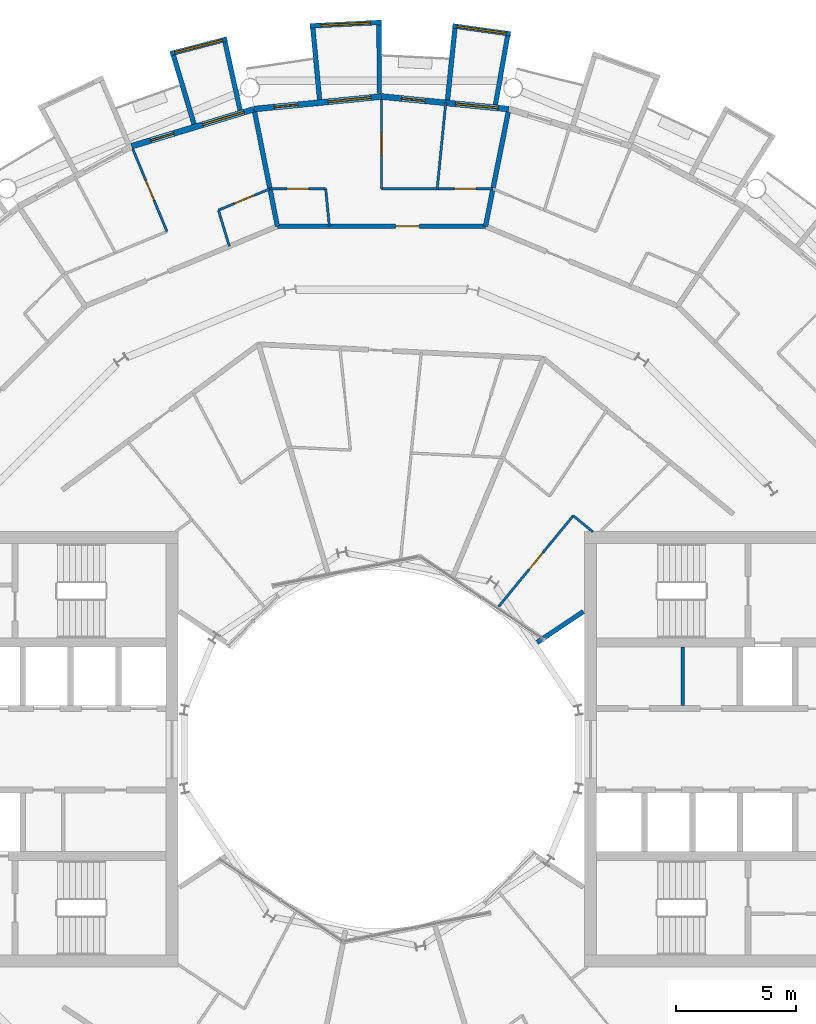
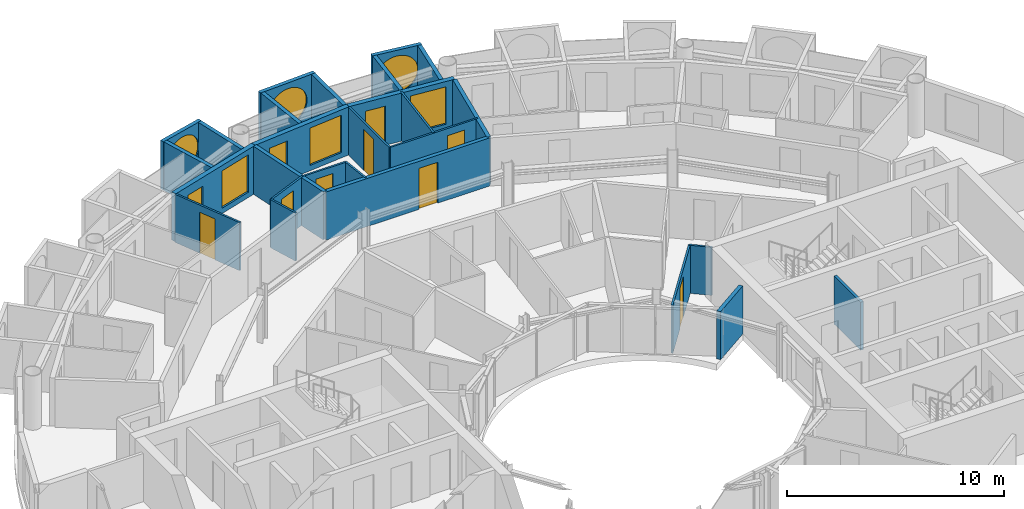
# One storey, part 21 of 27: 27 walls, 10 doors, 6 windows, 16 openings.
"""IFC4 building model written with IfcOpenShell, lengths in metres."""

from ifc_helpers import new_model, si_unit, direction, frame, frame_2d, origin, place, context, subcontext, project, spatial, rectangle, circle, extrude, material, layer, layer_set, type_object, element, fill, save


model = new_model("IFC4")

# Units and contexts
model_context = context("Model", 3, precision=1e-05, world=origin(), true_north=direction((0.0, 1.0)))
body_context = subcontext(model_context, "Body", "Model", "MODEL_VIEW")
ifc_project = project(units=[si_unit("LENGTHUNIT", "METRE"), si_unit("AREAUNIT", "SQUARE_METRE"), si_unit("VOLUMEUNIT", "CUBIC_METRE"), si_unit("PLANEANGLEUNIT", "RADIAN"), si_unit("MASSUNIT", "GRAM", prefix="KILO")], contexts=[model_context])

# Site, building, storey
site_placement = place(None, origin())
site = spatial("IfcSite", under=ifc_project, at=site_placement, CompositionType="ELEMENT")
building_placement = place(site_placement, origin())
building = spatial("IfcBuilding", under=site, at=building_placement, Name="Maasbend Ring Residences", CompositionType="ELEMENT")
storey_placement = place(building_placement, frame((0.0, 0.0, 167.699951171875)))
storey = spatial("IfcBuildingStorey", under=building, at=storey_placement, Name="L48", CompositionType="ELEMENT", Elevation=167.699951171875)

# Wall, opening, door
ifc_material_1 = material(Name="Concrete C30/37", Category="concrete")
ifc_layer_1 = layer(ifc_material_1, 0.199951171875)
ifc_layer_set_1 = layer_set([ifc_layer_1], Name="Concrete C30/37")
wall_type_1 = type_object("IfcWallType", Name="CORRIDOR WALL 200 CONCRETE", PredefinedType="PARTITIONING", material=ifc_layer_set_1)
wall_1_placement = place(storey_placement, frame((-4.35107421875, 21.8720703125, 0.0), z_axis=(0.0, 0.0, 1.0), x_axis=(1.0, 0.0, 0.0)))
wall_1 = element("IfcWall", 1, at=wall_1_placement, inside=storey, type_object=wall_type_1, Name="U-L48-w111", PredefinedType="PARTITIONING", context=body_context, shape_type="SweptSolid", body=[
    extrude(rectangle(XDim=8.7021484375, YDim=0.199951171875, at=frame_2d((4.35107421875, 0.0))), origin(), (0.0, 0.0, 1.0), 2.699951171875),
])
opening_1_placement = place(wall_1_placement, frame((4.93896484375, 0.0, 0.0)))
opening_1 = element("IfcOpeningElement", 2, at=opening_1_placement, cuts=wall_1, Name="Opening D-4809", PredefinedType="OPENING", context=body_context, shape_type="SweptSolid", body=[
    extrude(rectangle(XDim=1.0, YDim=2.300048828125, at=frame_2d((0.5, 1.14990234375))), frame((0.0, 0.10986328125, 0.0), z_axis=(0.0, -1.0, 0.0), x_axis=(1.0, 0.0, 0.0)), (0.0, 0.0, 1.0), 0.219970703125),
])
ifc_material_2 = material(Name="Timber, fire-rated, painted", Category="wood")
door_type_1 = type_object("IfcDoorType", Name="FLAT ENTRANCE DOOR 1000 X 2300 FIRE-RATED", OperationType="NOTDEFINED", PredefinedType="DOOR", material=ifc_material_2)
door_1_placement = place(opening_1_placement, origin())
door_1 = element("IfcDoor", 3, at=door_1_placement, inside=storey, type_object=door_type_1, Name="D-4809", OperationType="SINGLE_SWING_RIGHT", OverallHeight=2.300048828125, OverallWidth=1.0, PredefinedType="DOOR", context=body_context, shape_type="SweptSolid", body=[
    extrude(rectangle(XDim=1.0, YDim=2.300048828125, at=frame_2d((0.5, 1.14990234375))), frame((0.0, 0.02490234375, 0.0), z_axis=(0.0, -1.0, 0.0), x_axis=(1.0, 0.0, 0.0)), (0.0, 0.0, 1.0), 0.050048828125),
])
fill(opening_1, door_1)

# Wall, opening, window
ifc_material_3 = material(Name="Pale anodised aluminium panel", Category="aluminium")
ifc_layer_2 = layer(ifc_material_3, 0.199951171875)
ifc_layer_set_2 = layer_set([ifc_layer_2], Name="EW-BOX")
wall_type_2 = type_object("IfcWallType", Name="EW-BOX", PredefinedType="SOLIDWALL", material=ifc_layer_set_2)
wall_2_placement = place(storey_placement, frame((5.39794921875, 29.9169921875, -0.030029296875), z_axis=(0.0, 0.0, 1.0), x_axis=(-0.990462016113, 0.137786046596, 0.0)))
wall_2 = element("IfcWall", 4, at=wall_2_placement, inside=storey, type_object=wall_type_2, Name="Box front N09", PredefinedType="SOLIDWALL", context=body_context, shape_type="SweptSolid", body=[
    extrude(rectangle(XDim=2.4453125, YDim=0.199951171875, at=frame_2d((1.22265625, 0.0))), origin(), (0.0, 0.0, 1.0), 2.72998046875),
])
opening_2_placement = place(wall_2_placement, frame((0.182861328125, 0.0, 0.330078125)))
opening_2 = element("IfcOpeningElement", 5, at=opening_2_placement, cuts=wall_2, Name="Opening W-RD", PredefinedType="OPENING", context=body_context, shape_type="SweptSolid", body=[
    extrude(circle(Radius=1.0400390625, at=frame_2d((1.0400390625, 1.0400390625))), frame((0.0, 0.10986328125, 0.0), z_axis=(0.0, -1.0, 0.0), x_axis=(1.0, 0.0, 0.0)), (0.0, 0.0, 1.0), 0.219970703125),
])
ifc_material_4 = material(Name="Aluminium and clear glass", Category="aluminium")
window_type_1 = type_object("IfcWindowType", Name="W-RD", PartitioningType="SINGLE_PANEL", PredefinedType="WINDOW", material=ifc_material_4)
window_1_placement = place(opening_2_placement, origin())
window_1 = element("IfcWindow", 6, at=window_1_placement, inside=storey, type_object=window_type_1, Name="Round window N09", OverallHeight=2.080078125, OverallWidth=2.080078125, PartitioningType="SINGLE_PANEL", PredefinedType="WINDOW", context=body_context, shape_type="SweptSolid", body=[
    extrude(circle(Radius=1.0400390625, at=frame_2d((1.0400390625, 1.0400390625))), frame((0.0, 0.030029296875, 0.0), z_axis=(0.0, -1.0, 0.0), x_axis=(1.0, 0.0, 0.0)), (0.0, 0.0, 1.0), 0.06005859375),
])
fill(opening_2, window_1)

# Walls
wall_3_placement = place(storey_placement, frame((4.76904296875, 26.9560546875, -0.030029296875), z_axis=(0.0, 0.0, 1.0), x_axis=(0.174056778901, 0.984735618183, 0.0)))
element("IfcWall", 7, at=wall_3_placement, inside=storey, type_object=wall_type_2, Name="Box side wall N09 left", PredefinedType="SOLIDWALL", context=body_context, shape_type="SweptSolid", body=[
    extrude(rectangle(XDim=2.924560546875, YDim=0.199951171875, at=frame_2d((1.46240234375, 0.0))), origin(), (0.0, 0.0, 1.0), 2.72998046875),
])
wall_4_placement = place(storey_placement, frame((2.763916015625, 27.153076171875, -0.030029296875), z_axis=(0.0, 0.0, 1.0), x_axis=(0.101505487237, 0.994834979311, 0.0)))
element("IfcWall", 8, at=wall_4_placement, inside=storey, type_object=wall_type_2, Name="Box side wall N09 right", PredefinedType="SOLIDWALL", context=body_context, shape_type="SweptSolid", body=[
    extrude(rectangle(XDim=3.006591796875, YDim=0.199951171875, at=frame_2d((1.50341796875, 0.0))), origin(), (0.0, 0.0, 1.0), 2.72998046875),
])

# Wall, opening, window
wall_5_placement = place(storey_placement, frame((0.0048828125, 30.39990234375, -0.030029296875), z_axis=(0.0, 0.0, 1.0), x_axis=(-0.998794083011, -0.049095618353, 0.0)))
wall_5 = element("IfcWall", 9, at=wall_5_placement, inside=storey, type_object=wall_type_2, Name="Box front N11", PredefinedType="SOLIDWALL", context=body_context, shape_type="SweptSolid", body=[
    extrude(rectangle(XDim=2.99365234375, YDim=0.199951171875, at=frame_2d((1.496826171875, 0.0))), origin(), (0.0, 0.0, 1.0), 2.72998046875),
])
opening_3_placement = place(wall_5_placement, frame((0.45654296875, 0.0, 0.330078125)))
opening_3 = element("IfcOpeningElement", 10, at=opening_3_placement, cuts=wall_5, Name="Opening W-RD", PredefinedType="OPENING", context=body_context, shape_type="SweptSolid", body=[
    extrude(circle(Radius=1.0400390625, at=frame_2d((1.0400390625, 1.0400390625))), frame((0.0, 0.10986328125, 0.0), z_axis=(0.0, -1.0, 0.0), x_axis=(1.0, 0.0, 0.0)), (0.0, 0.0, 1.0), 0.219970703125),
])
window_2_placement = place(opening_3_placement, origin())
window_2 = element("IfcWindow", 11, at=window_2_placement, inside=storey, type_object=window_type_1, Name="Round window N11", OverallHeight=2.080078125, OverallWidth=2.080078125, PartitioningType="SINGLE_PANEL", PredefinedType="WINDOW", context=body_context, shape_type="SweptSolid", body=[
    extrude(circle(Radius=1.0400390625, at=frame_2d((1.0400390625, 1.0400390625))), frame((0.0, 0.030029296875, 0.0), z_axis=(0.0, -1.0, 0.0), x_axis=(1.0, 0.0, 0.0)), (0.0, 0.0, 1.0), 0.06005859375),
])
fill(opening_3, window_2)

# Walls
wall_6_placement = place(storey_placement, frame((-0.090087890625, 27.4169921875, -0.030029296875), z_axis=(0.0, 0.0, 1.0), x_axis=(-0.00347308367, 0.999993968827, 0.0)))
element("IfcWall", 12, at=wall_6_placement, inside=storey, type_object=wall_type_2, Name="Box side wall N11 left", PredefinedType="SOLIDWALL", context=body_context, shape_type="SweptSolid", body=[
    extrude(rectangle(XDim=2.882080078125, YDim=0.199951171875, at=frame_2d((1.44091796875, 0.0))), origin(), (0.0, 0.0, 1.0), 2.72998046875),
])
wall_7_placement = place(storey_placement, frame((-2.5859375, 27.1708984375, -0.030029296875), z_axis=(0.0, 0.0, 1.0), x_axis=(-0.094548432284, 0.995520262954, 0.0)))
element("IfcWall", 13, at=wall_7_placement, inside=storey, type_object=wall_type_2, Name="Box side wall N11 right", PredefinedType="SOLIDWALL", context=body_context, shape_type="SweptSolid", body=[
    extrude(rectangle(XDim=3.005615234375, YDim=0.199951171875, at=frame_2d((1.5029296875, 0.0))), origin(), (0.0, 0.0, 1.0), 2.72998046875),
])

# Wall, opening, window
wall_8_placement = place(storey_placement, frame((-6.4609375, 29.705078125, -0.030029296875), z_axis=(0.0, 0.0, 1.0), x_axis=(-0.96789536872, -0.251353446784, 0.0)))
wall_8 = element("IfcWall", 14, at=wall_8_placement, inside=storey, type_object=wall_type_2, Name="Box front N13", PredefinedType="SOLIDWALL", context=body_context, shape_type="SweptSolid", body=[
    extrude(rectangle(XDim=2.44677734375, YDim=0.199951171875, at=frame_2d((1.223388671875, 0.0))), origin(), (0.0, 0.0, 1.0), 2.72998046875),
])
opening_4_placement = place(wall_8_placement, frame((0.182861328125, 0.0, 0.330078125)))
opening_4 = element("IfcOpeningElement", 15, at=opening_4_placement, cuts=wall_8, Name="Opening W-RD", PredefinedType="OPENING", context=body_context, shape_type="SweptSolid", body=[
    extrude(circle(Radius=1.0400390625, at=frame_2d((1.0400390625, 1.0400390625))), frame((0.0, 0.10986328125, 0.0), z_axis=(0.0, -1.0, 0.0), x_axis=(1.0, 0.0, 0.0)), (0.0, 0.0, 1.0), 0.219970703125),
])
window_3_placement = place(opening_4_placement, origin())
window_3 = element("IfcWindow", 16, at=window_3_placement, inside=storey, type_object=window_type_1, Name="Round window N13", OverallHeight=2.080078125, OverallWidth=2.080078125, PartitioningType="SINGLE_PANEL", PredefinedType="WINDOW", context=body_context, shape_type="SweptSolid", body=[
    extrude(circle(Radius=1.0400390625, at=frame_2d((1.0400390625, 1.0400390625))), frame((0.0, 0.030029296875, 0.0), z_axis=(0.0, -1.0, 0.0), x_axis=(1.0, 0.0, 0.0)), (0.0, 0.0, 1.0), 0.06005859375),
])
fill(opening_4, window_3)

# Walls
wall_9_placement = place(storey_placement, frame((-5.908935546875, 26.72900390625, -0.030029296875), z_axis=(0.0, 0.0, 1.0), x_axis=(-0.216409053917, 0.976302781612, 0.0)))
element("IfcWall", 17, at=wall_9_placement, inside=storey, type_object=wall_type_2, Name="Box side wall N13 left", PredefinedType="SOLIDWALL", context=body_context, shape_type="SweptSolid", body=[
    extrude(rectangle(XDim=2.92529296875, YDim=0.199951171875, at=frame_2d((1.462646484375, 0.0))), origin(), (0.0, 0.0, 1.0), 2.72998046875),
])
wall_10_placement = place(storey_placement, frame((-7.8369140625, 26.14404296875, -0.030029296875), z_axis=(0.0, 0.0, 1.0), x_axis=(-0.287064767992, 0.957911174889, 0.0)))
element("IfcWall", 18, at=wall_10_placement, inside=storey, type_object=wall_type_2, Name="Box side wall N13 right", PredefinedType="SOLIDWALL", context=body_context, shape_type="SweptSolid", body=[
    extrude(rectangle(XDim=3.00634765625, YDim=0.199951171875, at=frame_2d((1.503173828125, 0.0))), origin(), (0.0, 0.0, 1.0), 2.72998046875),
])

# Wall, openings, door, window
ifc_material_5 = material(Name="Aluminium clad insulated panel", Category="aluminium")
ifc_layer_3 = layer(ifc_material_5, 0.25)
ifc_layer_set_3 = layer_set([ifc_layer_3], Name="EW-GL")
wall_type_3 = type_object("IfcWallType", Name="EW-GL", PredefinedType="SOLIDWALL", material=ifc_layer_set_3)
wall_11_placement = place(storey_placement, frame((5.325927734375, 26.77490234375, 0.0), z_axis=(0.0, 0.0, 1.0), x_axis=(-0.995173996315, 0.098126026407, 0.0)))
wall_11 = element("IfcWall", 19, at=wall_11_placement, inside=storey, type_object=wall_type_3, Name="External wall N05", PredefinedType="SOLIDWALL", context=body_context, shape_type="SweptSolid", body=[
    extrude(rectangle(XDim=5.351806640625, YDim=0.25, at=frame_2d((2.67578125, 0.0))), origin(), (0.0, 0.0, 1.0), 2.699951171875),
])
opening_5_placement = place(wall_11_placement, frame((0.441162109375, 0.0, 0.300048828125)))
opening_5 = element("IfcOpeningElement", 20, at=opening_5_placement, cuts=wall_11, Name="Opening W-BX", PredefinedType="OPENING", context=body_context, shape_type="SweptSolid", body=[
    extrude(rectangle(XDim=1.800048828125, YDim=2.10009765625, at=frame_2d((0.89990234375, 1.050048828125))), frame((0.0, 0.135009765625, 0.0), z_axis=(0.0, -1.0, 0.0), x_axis=(1.0, 0.0, 0.0)), (0.0, 0.0, 1.0), 0.27001953125),
])
opening_6_placement = place(wall_11_placement, frame((3.510498046875, 0.0, 0.0)))
opening_6 = element("IfcOpeningElement", 21, at=opening_6_placement, cuts=wall_11, Name="Opening D-LG", PredefinedType="OPENING", context=body_context, shape_type="SweptSolid", body=[
    extrude(rectangle(XDim=1.0, YDim=2.199951171875, at=frame_2d((0.5, 1.10009765625))), frame((0.0, 0.135009765625, 0.0), z_axis=(0.0, -1.0, 0.0), x_axis=(1.0, 0.0, 0.0)), (0.0, 0.0, 1.0), 0.27001953125),
])
ifc_material_6 = material(Name="Aluminium and clear glass", Category="aluminium")
door_type_2 = type_object("IfcDoorType", Name="D-LG", OperationType="SINGLE_SWING_LEFT", PredefinedType="DOOR", material=ifc_material_6)
door_2_placement = place(opening_6_placement, origin())
door_2 = element("IfcDoor", 22, at=door_2_placement, inside=storey, type_object=door_type_2, Name="Loggia door N10", OperationType="SINGLE_SWING_LEFT", OverallHeight=2.199951171875, OverallWidth=1.0, PredefinedType="DOOR", context=body_context, shape_type="SweptSolid", body=[
    extrude(rectangle(XDim=1.0, YDim=2.199951171875, at=frame_2d((0.5, 1.10009765625))), frame((0.0, 0.02490234375, 0.0), z_axis=(0.0, -1.0, 0.0), x_axis=(1.0, 0.0, 0.0)), (0.0, 0.0, 1.0), 0.050048828125),
])
fill(opening_6, door_2)
ifc_material_7 = material(Name="Aluminium and clear glass", Category="aluminium")
window_type_2 = type_object("IfcWindowType", Name="W-BX", PartitioningType="DOUBLE_PANEL_VERTICAL", PredefinedType="WINDOW", material=ifc_material_7)
window_4_placement = place(opening_5_placement, origin())
window_4 = element("IfcWindow", 23, at=window_4_placement, inside=storey, type_object=window_type_2, Name="Window N09 room to box", OverallHeight=2.10009765625, OverallWidth=1.800048828125, PartitioningType="SINGLE_PANEL", PredefinedType="WINDOW", context=body_context, shape_type="SweptSolid", body=[
    extrude(rectangle(XDim=1.800048828125, YDim=2.10009765625, at=frame_2d((0.89990234375, 1.050048828125))), frame((0.0, 0.030029296875, 0.0), z_axis=(0.0, -1.0, 0.0), x_axis=(1.0, 0.0, 0.0)), (0.0, 0.0, 1.0), 0.06005859375),
])
fill(opening_5, window_4)

wall_12_placement = place(storey_placement, frame((0.0, 27.300048828125, 0.0), z_axis=(0.0, 0.0, 1.0), x_axis=(-0.995173996315, -0.098126026407, 0.0)))
wall_12 = element("IfcWall", 24, at=wall_12_placement, inside=storey, type_object=wall_type_3, Name="External wall N06", PredefinedType="SOLIDWALL", context=body_context, shape_type="SweptSolid", body=[
    extrude(rectangle(XDim=5.351806640625, YDim=0.25, at=frame_2d((2.67578125, 0.0))), origin(), (0.0, 0.0, 1.0), 2.699951171875),
])
opening_7_placement = place(wall_12_placement, frame((0.441162109375, 0.0, 0.300048828125)))
opening_7 = element("IfcOpeningElement", 25, at=opening_7_placement, cuts=wall_12, Name="Opening W-BX", PredefinedType="OPENING", context=body_context, shape_type="SweptSolid", body=[
    extrude(rectangle(XDim=1.800048828125, YDim=2.10009765625, at=frame_2d((0.89990234375, 1.050048828125))), frame((0.0, 0.135009765625, 0.0), z_axis=(0.0, -1.0, 0.0), x_axis=(1.0, 0.0, 0.0)), (0.0, 0.0, 1.0), 0.27001953125),
])
opening_8_placement = place(wall_12_placement, frame((3.510498046875, 0.0, 0.0)))
opening_8 = element("IfcOpeningElement", 26, at=opening_8_placement, cuts=wall_12, Name="Opening D-LG", PredefinedType="OPENING", context=body_context, shape_type="SweptSolid", body=[
    extrude(rectangle(XDim=1.0, YDim=2.199951171875, at=frame_2d((0.5, 1.10009765625))), frame((0.0, 0.135009765625, 0.0), z_axis=(0.0, -1.0, 0.0), x_axis=(1.0, 0.0, 0.0)), (0.0, 0.0, 1.0), 0.27001953125),
])
door_3_placement = place(opening_8_placement, origin())
door_3 = element("IfcDoor", 27, at=door_3_placement, inside=storey, type_object=door_type_2, Name="Loggia door N12", OperationType="SINGLE_SWING_LEFT", OverallHeight=2.199951171875, OverallWidth=1.0, PredefinedType="DOOR", context=body_context, shape_type="SweptSolid", body=[
    extrude(rectangle(XDim=1.0, YDim=2.199951171875, at=frame_2d((0.5, 1.10009765625))), frame((0.0, 0.02490234375, 0.0), z_axis=(0.0, -1.0, 0.0), x_axis=(1.0, 0.0, 0.0)), (0.0, 0.0, 1.0), 0.050048828125),
])
fill(opening_8, door_3)
window_5_placement = place(opening_7_placement, origin())
window_5 = element("IfcWindow", 28, at=window_5_placement, inside=storey, type_object=window_type_2, Name="Window N11 room to box", OverallHeight=2.10009765625, OverallWidth=1.800048828125, PartitioningType="SINGLE_PANEL", PredefinedType="WINDOW", context=body_context, shape_type="SweptSolid", body=[
    extrude(rectangle(XDim=1.800048828125, YDim=2.10009765625, at=frame_2d((0.89990234375, 1.050048828125))), frame((0.0, 0.030029296875, 0.0), z_axis=(0.0, -1.0, 0.0), x_axis=(1.0, 0.0, 0.0)), (0.0, 0.0, 1.0), 0.06005859375),
])
fill(opening_7, window_5)

wall_13_placement = place(storey_placement, frame((-5.325927734375, 26.77490234375, 0.0), z_axis=(0.0, 0.0, 1.0), x_axis=(-0.956965678721, -0.290201119486, 0.0)))
wall_13 = element("IfcWall", 29, at=wall_13_placement, inside=storey, type_object=wall_type_3, Name="External wall N07", PredefinedType="SOLIDWALL", context=body_context, shape_type="SweptSolid", body=[
    extrude(rectangle(XDim=5.351318359375, YDim=0.25, at=frame_2d((2.67578125, 0.0))), origin(), (0.0, 0.0, 1.0), 2.699951171875),
])
opening_9_placement = place(wall_13_placement, frame((0.441162109375, 0.0, 0.300048828125)))
opening_9 = element("IfcOpeningElement", 30, at=opening_9_placement, cuts=wall_13, Name="Opening W-BX", PredefinedType="OPENING", context=body_context, shape_type="SweptSolid", body=[
    extrude(rectangle(XDim=1.800048828125, YDim=2.10009765625, at=frame_2d((0.89990234375, 1.050048828125))), frame((0.0, 0.135009765625, 0.0), z_axis=(0.0, -1.0, 0.0), x_axis=(1.0, 0.0, 0.0)), (0.0, 0.0, 1.0), 0.27001953125),
])
opening_10_placement = place(wall_13_placement, frame((3.510498046875, 0.0, 0.0)))
opening_10 = element("IfcOpeningElement", 31, at=opening_10_placement, cuts=wall_13, Name="Opening D-LG", PredefinedType="OPENING", context=body_context, shape_type="SweptSolid", body=[
    extrude(rectangle(XDim=1.0, YDim=2.199951171875, at=frame_2d((0.5, 1.10009765625))), frame((0.0, 0.135009765625, 0.0), z_axis=(0.0, -1.0, 0.0), x_axis=(1.0, 0.0, 0.0)), (0.0, 0.0, 1.0), 0.27001953125),
])
door_4_placement = place(opening_10_placement, origin())
door_4 = element("IfcDoor", 32, at=door_4_placement, inside=storey, type_object=door_type_2, Name="Loggia door N14", OperationType="SINGLE_SWING_LEFT", OverallHeight=2.199951171875, OverallWidth=1.0, PredefinedType="DOOR", context=body_context, shape_type="SweptSolid", body=[
    extrude(rectangle(XDim=1.0, YDim=2.199951171875, at=frame_2d((0.5, 1.10009765625))), frame((0.0, 0.02490234375, 0.0), z_axis=(0.0, -1.0, 0.0), x_axis=(1.0, 0.0, 0.0)), (0.0, 0.0, 1.0), 0.050048828125),
])
fill(opening_10, door_4)
window_6_placement = place(opening_9_placement, origin())
window_6 = element("IfcWindow", 33, at=window_6_placement, inside=storey, type_object=window_type_2, Name="Window N13 room to box", OverallHeight=2.10009765625, OverallWidth=1.800048828125, PartitioningType="SINGLE_PANEL", PredefinedType="WINDOW", context=body_context, shape_type="SweptSolid", body=[
    extrude(rectangle(XDim=1.800048828125, YDim=2.10009765625, at=frame_2d((0.89990234375, 1.050048828125))), frame((0.0, 0.030029296875, 0.0), z_axis=(0.0, -1.0, 0.0), x_axis=(1.0, 0.0, 0.0)), (0.0, 0.0, 1.0), 0.06005859375),
])
fill(opening_9, window_6)

# Wall, opening, door
ifc_material_8 = material(Name="Gypsum board on steel studs", Category="steel")
ifc_layer_4 = layer(ifc_material_8, 0.10009765625)
ifc_layer_set_4 = layer_set([ifc_layer_4], Name="PARTITION 100 GYPSUM")
wall_type_4 = type_object("IfcWallType", Name="PARTITION 100 GYPSUM", PredefinedType="PARTITIONING", material=ifc_layer_set_4)
wall_14_placement = place(storey_placement, frame((-10.39892578125, 25.10595703125, 0.0), z_axis=(0.0, 0.0, 1.0), x_axis=(0.382669377748, -0.923885353999, 0.0)))
wall_14 = element("IfcWall", 34, at=wall_14_placement, inside=storey, type_object=wall_type_4, Name="U-L48-w049", PredefinedType="PARTITIONING", context=body_context, shape_type="SweptSolid", body=[
    extrude(rectangle(XDim=3.734130859375, YDim=0.10009765625, at=frame_2d((1.8671875, 0.0))), origin(), (0.0, 0.0, 1.0), 2.699951171875),
])
opening_11_placement = place(wall_14_placement, frame((1.4169921875, 0.0, 0.0)))
opening_11 = element("IfcOpeningElement", 35, at=opening_11_placement, cuts=wall_14, Name="Opening D-4815", PredefinedType="OPENING", context=body_context, shape_type="SweptSolid", body=[
    extrude(rectangle(XDim=0.89990234375, YDim=2.300048828125, at=frame_2d((0.449951171875, 1.14990234375))), frame((0.0, 0.06005859375, 0.0), z_axis=(0.0, -1.0, 0.0), x_axis=(1.0, 0.0, 0.0)), (0.0, 0.0, 1.0), 0.1201171875),
])
ifc_material_9 = material(Name="Timber, painted", Category="wood")
door_type_3 = type_object("IfcDoorType", Name="INTERNAL DOOR 900 X 2300", OperationType="NOTDEFINED", PredefinedType="DOOR", material=ifc_material_9)
door_5_placement = place(opening_11_placement, origin())
door_5 = element("IfcDoor", 36, at=door_5_placement, inside=storey, type_object=door_type_3, Name="D-4815", OperationType="SINGLE_SWING_RIGHT", OverallHeight=2.300048828125, OverallWidth=0.89990234375, PredefinedType="DOOR", context=body_context, shape_type="SweptSolid", body=[
    extrude(rectangle(XDim=0.89990234375, YDim=2.300048828125, at=frame_2d((0.449951171875, 1.14990234375))), frame((0.0, 0.02490234375, 0.0), z_axis=(0.0, -1.0, 0.0), x_axis=(1.0, 0.0, 0.0)), (0.0, 0.0, 1.0), 0.050048828125),
])
fill(opening_11, door_5)

# Walls
wall_15_placement = place(storey_placement, frame((-6.818115234375, 22.549072265625, 0.0), z_axis=(0.0, 0.0, 1.0), x_axis=(0.289689552287, -0.957120662872, 0.0)))
element("IfcWall", 37, at=wall_15_placement, inside=storey, type_object=wall_type_4, Name="U-L48-w052", PredefinedType="PARTITIONING", context=body_context, shape_type="SweptSolid", body=[
    extrude(rectangle(XDim=1.57763671875, YDim=0.10009765625, at=frame_2d((0.788818359375, 0.0))), origin(), (0.0, 0.0, 1.0), 2.699951171875),
])
wall_16_placement = place(storey_placement, frame((-2.3330078125, 23.44091796875, 0.0), z_axis=(0.0, 0.0, 1.0), x_axis=(0.098951748623, -0.995092232632, 0.0)))
element("IfcWall", 38, at=wall_16_placement, inside=storey, type_object=wall_type_4, Name="U-L48-w059", PredefinedType="PARTITIONING", context=body_context, shape_type="SweptSolid", body=[
    extrude(rectangle(XDim=1.57666015625, YDim=0.10009765625, at=frame_2d((0.788330078125, 0.0))), origin(), (0.0, 0.0, 1.0), 2.699951171875),
])

# Wall, opening, door
wall_17_placement = place(storey_placement, frame((0.0, 23.44091796875, 0.0), z_axis=(0.0, 0.0, 1.0), x_axis=(0.0, 1.0, 0.0)))
wall_17 = element("IfcWall", 39, at=wall_17_placement, inside=storey, type_object=wall_type_4, Name="U-L48-w064", PredefinedType="PARTITIONING", context=body_context, shape_type="SweptSolid", body=[
    extrude(rectangle(XDim=3.734130859375, YDim=0.10009765625, at=frame_2d((1.8671875, 0.0))), origin(), (0.0, 0.0, 1.0), 2.699951171875),
])
opening_12_placement = place(wall_17_placement, frame((1.4169921875, 0.0, 0.0)))
opening_12 = element("IfcOpeningElement", 40, at=opening_12_placement, cuts=wall_17, Name="Opening D-4811", PredefinedType="OPENING", context=body_context, shape_type="SweptSolid", body=[
    extrude(rectangle(XDim=0.89990234375, YDim=2.300048828125, at=frame_2d((0.449951171875, 1.14990234375))), frame((0.0, 0.06005859375, 0.0), z_axis=(0.0, -1.0, 0.0), x_axis=(1.0, 0.0, 0.0)), (0.0, 0.0, 1.0), 0.1201171875),
])
door_6_placement = place(opening_12_placement, origin())
door_6 = element("IfcDoor", 41, at=door_6_placement, inside=storey, type_object=door_type_3, Name="D-4811", OperationType="SINGLE_SWING_RIGHT", OverallHeight=2.300048828125, OverallWidth=0.89990234375, PredefinedType="DOOR", context=body_context, shape_type="SweptSolid", body=[
    extrude(rectangle(XDim=0.89990234375, YDim=2.300048828125, at=frame_2d((0.449951171875, 1.14990234375))), frame((0.0, 0.02490234375, 0.0), z_axis=(0.0, -1.0, 0.0), x_axis=(1.0, 0.0, 0.0)), (0.0, 0.0, 1.0), 0.050048828125),
])
fill(opening_12, door_6)

# Wall
wall_18_placement = place(storey_placement, frame((2.3310546875, 23.44091796875, 0.0), z_axis=(0.0, 0.0, 1.0), x_axis=(0.098902534616, 0.995097125233, 0.0)))
element("IfcWall", 42, at=wall_18_placement, inside=storey, type_object=wall_type_4, Name="U-L48-w068", PredefinedType="PARTITIONING", context=body_context, shape_type="SweptSolid", body=[
    extrude(rectangle(XDim=3.618896484375, YDim=0.10009765625, at=frame_2d((1.8095703125, 0.0))), origin(), (0.0, 0.0, 1.0), 2.699951171875),
])

# Wall, opening, door
wall_19_placement = place(storey_placement, frame((4.89794921875, 5.968017578125, 0.0), z_axis=(0.0, 0.0, 1.0), x_axis=(0.634401778971, 0.773003481776, 0.0)))
wall_19 = element("IfcWall", 43, at=wall_19_placement, inside=storey, type_object=wall_type_4, Name="U-L48-w074", PredefinedType="PARTITIONING", context=body_context, shape_type="SweptSolid", body=[
    extrude(rectangle(XDim=4.919677734375, YDim=0.10009765625, at=frame_2d((2.4599609375, 0.0))), origin(), (0.0, 0.0, 1.0), 2.699951171875),
])
opening_13_placement = place(wall_19_placement, frame((2.010009765625, 0.0, 0.0)))
opening_13 = element("IfcOpeningElement", 44, at=opening_13_placement, cuts=wall_19, Name="Opening D-4824", PredefinedType="OPENING", context=body_context, shape_type="SweptSolid", body=[
    extrude(rectangle(XDim=0.89990234375, YDim=2.300048828125, at=frame_2d((0.449951171875, 1.14990234375))), frame((0.0, 0.06005859375, 0.0), z_axis=(0.0, -1.0, 0.0), x_axis=(1.0, 0.0, 0.0)), (0.0, 0.0, 1.0), 0.1201171875),
])
door_7_placement = place(opening_13_placement, origin())
door_7 = element("IfcDoor", 45, at=door_7_placement, inside=storey, type_object=door_type_3, Name="D-4824", OperationType="SINGLE_SWING_RIGHT", OverallHeight=2.300048828125, OverallWidth=0.89990234375, PredefinedType="DOOR", context=body_context, shape_type="SweptSolid", body=[
    extrude(rectangle(XDim=0.89990234375, YDim=2.300048828125, at=frame_2d((0.449951171875, 1.14990234375))), frame((0.0, 0.02490234375, 0.0), z_axis=(0.0, -1.0, 0.0), x_axis=(1.0, 0.0, 0.0)), (0.0, 0.0, 1.0), 0.050048828125),
])
fill(opening_13, door_7)

# Wall
wall_20_placement = place(storey_placement, frame((8.01904296875, 9.77099609375, 0.0), z_axis=(0.0, 0.0, 1.0), x_axis=(0.772730269942, -0.634734534995, 0.0)))
element("IfcWall", 46, at=wall_20_placement, inside=storey, type_object=wall_type_4, Name="U-L48-w103", PredefinedType="PARTITIONING", context=body_context, shape_type="SweptSolid", body=[
    extrude(rectangle(XDim=1.06494140625, YDim=0.10009765625, at=frame_2d((0.532470703125, 0.0))), origin(), (0.0, 0.0, 1.0), 2.699951171875),
])

# Wall, opening, door
wall_21_placement = place(storey_placement, frame((-6.81689453125, 22.548095703125, 0.0), z_axis=(0.0, 0.0, 1.0), x_axis=(0.924061443507, 0.382243964798, 0.0)))
wall_21 = element("IfcWall", 47, at=wall_21_placement, inside=storey, type_object=wall_type_4, Name="U-L48-w119", PredefinedType="PARTITIONING", context=body_context, shape_type="SweptSolid", body=[
    extrude(rectangle(XDim=2.333251953125, YDim=0.10009765625, at=frame_2d((1.16650390625, 0.0))), origin(), (0.0, 0.0, 1.0), 2.699951171875),
])
opening_14_placement = place(wall_21_placement, frame((0.717041015625, 0.0, 0.0)))
opening_14 = element("IfcOpeningElement", 48, at=opening_14_placement, cuts=wall_21, Name="Opening D-4814", PredefinedType="OPENING", context=body_context, shape_type="SweptSolid", body=[
    extrude(rectangle(XDim=0.89990234375, YDim=2.300048828125, at=frame_2d((0.449951171875, 1.14990234375))), frame((0.0, 0.06005859375, 0.0), z_axis=(0.0, -1.0, 0.0), x_axis=(1.0, 0.0, 0.0)), (0.0, 0.0, 1.0), 0.1201171875),
])
door_8_placement = place(opening_14_placement, origin())
door_8 = element("IfcDoor", 49, at=door_8_placement, inside=storey, type_object=door_type_3, Name="D-4814", OperationType="SINGLE_SWING_RIGHT", OverallHeight=2.300048828125, OverallWidth=0.89990234375, PredefinedType="DOOR", context=body_context, shape_type="SweptSolid", body=[
    extrude(rectangle(XDim=0.89990234375, YDim=2.300048828125, at=frame_2d((0.449951171875, 1.14990234375))), frame((0.0, 0.02490234375, 0.0), z_axis=(0.0, -1.0, 0.0), x_axis=(1.0, 0.0, 0.0)), (0.0, 0.0, 1.0), 0.050048828125),
])
fill(opening_14, door_8)

wall_22_placement = place(storey_placement, frame((-4.6630859375, 23.44091796875, 0.0), z_axis=(0.0, 0.0, 1.0), x_axis=(1.0, 0.0, 0.0)))
wall_22 = element("IfcWall", 50, at=wall_22_placement, inside=storey, type_object=wall_type_4, Name="U-L48-w120", PredefinedType="PARTITIONING", context=body_context, shape_type="SweptSolid", body=[
    extrude(rectangle(XDim=2.33203125, YDim=0.10009765625, at=frame_2d((1.166015625, 0.0))), origin(), (0.0, 0.0, 1.0), 2.699951171875),
])
opening_15_placement = place(wall_22_placement, frame((0.716064453125, 0.0, 0.0)))
opening_15 = element("IfcOpeningElement", 51, at=opening_15_placement, cuts=wall_22, Name="Opening D-4810", PredefinedType="OPENING", context=body_context, shape_type="SweptSolid", body=[
    extrude(rectangle(XDim=0.89990234375, YDim=2.300048828125, at=frame_2d((0.449951171875, 1.14990234375))), frame((0.0, 0.06005859375, 0.0), z_axis=(0.0, -1.0, 0.0), x_axis=(1.0, 0.0, 0.0)), (0.0, 0.0, 1.0), 0.1201171875),
])
door_9_placement = place(opening_15_placement, origin())
door_9 = element("IfcDoor", 52, at=door_9_placement, inside=storey, type_object=door_type_3, Name="D-4810", OperationType="SINGLE_SWING_RIGHT", OverallHeight=2.300048828125, OverallWidth=0.89990234375, PredefinedType="DOOR", context=body_context, shape_type="SweptSolid", body=[
    extrude(rectangle(XDim=0.89990234375, YDim=2.300048828125, at=frame_2d((0.449951171875, 1.14990234375))), frame((0.0, 0.02490234375, 0.0), z_axis=(0.0, -1.0, 0.0), x_axis=(1.0, 0.0, 0.0)), (0.0, 0.0, 1.0), 0.050048828125),
])
fill(opening_15, door_9)

wall_23_placement = place(storey_placement, frame((0.0, 23.44091796875, 0.0), z_axis=(0.0, 0.0, 1.0), x_axis=(1.0, 0.0, 0.0)))
wall_23 = element("IfcWall", 53, at=wall_23_placement, inside=storey, type_object=wall_type_4, Name="U-L48-w121", PredefinedType="PARTITIONING", context=body_context, shape_type="SweptSolid", body=[
    extrude(rectangle(XDim=4.6630859375, YDim=0.10009765625, at=frame_2d((2.33154296875, 0.0))), origin(), (0.0, 0.0, 1.0), 2.699951171875),
])
opening_16_placement = place(wall_23_placement, frame((3.047119140625, 0.0, 0.0)))
opening_16 = element("IfcOpeningElement", 54, at=opening_16_placement, cuts=wall_23, Name="Opening D-4812", PredefinedType="OPENING", context=body_context, shape_type="SweptSolid", body=[
    extrude(rectangle(XDim=0.89990234375, YDim=2.300048828125, at=frame_2d((0.449951171875, 1.14990234375))), frame((0.0, 0.06005859375, 0.0), z_axis=(0.0, -1.0, 0.0), x_axis=(1.0, 0.0, 0.0)), (0.0, 0.0, 1.0), 0.1201171875),
])
door_10_placement = place(opening_16_placement, origin())
door_10 = element("IfcDoor", 55, at=door_10_placement, inside=storey, type_object=door_type_3, Name="D-4812", OperationType="SINGLE_SWING_RIGHT", OverallHeight=2.300048828125, OverallWidth=0.89990234375, PredefinedType="DOOR", context=body_context, shape_type="SweptSolid", body=[
    extrude(rectangle(XDim=0.89990234375, YDim=2.300048828125, at=frame_2d((0.449951171875, 1.14990234375))), frame((0.0, 0.02490234375, 0.0), z_axis=(0.0, -1.0, 0.0), x_axis=(1.0, 0.0, 0.0)), (0.0, 0.0, 1.0), 0.050048828125),
])
fill(opening_16, door_10)

# Walls
ifc_material_10 = material(Name="Gypsum board on steel studs", Category="steel")
ifc_layer_5 = layer(ifc_material_10, 0.14990234375)
ifc_layer_set_5 = layer_set([ifc_layer_5], Name="PARTITION 150 EI 60")
wall_type_5 = type_object("IfcWallType", Name="PARTITION 150 EI 60", PredefinedType="PARTITIONING", material=ifc_layer_set_5)
wall_24_placement = place(storey_placement, frame((12.60009765625, 1.824951171875, 0.0), z_axis=(0.0, 0.0, 1.0), x_axis=(0.0, 1.0, 0.0)))
element("IfcWall", 56, at=wall_24_placement, inside=storey, type_object=wall_type_5, Name="L48 core E wall PRN1260", PredefinedType="PARTITIONING", context=body_context, shape_type="SweptSolid", body=[
    extrude(rectangle(XDim=2.449951171875, YDim=0.14990234375, at=frame_2d((1.22509765625, 0.0))), origin(), (0.0, 0.0, 1.0), 2.699951171875),
])
ifc_material_11 = material(Name="Concrete C30/37", Category="concrete")
ifc_layer_6 = layer(ifc_material_11, 0.199951171875)
ifc_layer_set_6 = layer_set([ifc_layer_6], Name="Concrete C30/37")
wall_type_6 = type_object("IfcWallType", Name="PARTY WALL 200 CONCRETE", PredefinedType="PARTITIONING", material=ifc_layer_set_6)
for number, where, z_axis, x_axis, name in (
    (57, (-5.302001953125, 26.653076171875, 0.0), (0.0, 0.0, 1.0), (0.195075825861, -0.980788163756, 0.0), "U-L48-w055"),
    (58, (4.35107421875, 21.8720703125, 0.0), (0.0, 0.0, 1.0), (0.195075825861, 0.980788163756, 0.0), "U-L48-w073"),
):
    element("IfcWall", number, at=place(storey_placement, frame(where, z_axis=z_axis, x_axis=x_axis)), inside=storey, type_object=wall_type_6, Name=name, PredefinedType="PARTITIONING", context=body_context, shape_type="SweptSolid", body=[
        extrude(rectangle(XDim=4.874755859375, YDim=0.199951171875, at=frame_2d((2.4375, 0.0))), origin(), (0.0, 0.0, 1.0), 2.699951171875),
    ])
wall_25_placement = place(storey_placement, frame((6.512939453125, 4.471923828125, 0.0), z_axis=(0.0, 0.0, 1.0), x_axis=(0.83133816625, 0.555766905579, 0.0)))
element("IfcWall", 59, at=wall_25_placement, inside=storey, type_object=wall_type_6, Name="U-L48-w095", PredefinedType="PARTITIONING", context=body_context, shape_type="SweptSolid", body=[
    extrude(rectangle(XDim=2.322998046875, YDim=0.199951171875, at=frame_2d((1.16162109375, 0.0))), origin(), (0.0, 0.0, 1.0), 2.699951171875),
])

save(model, "model.ifc")
